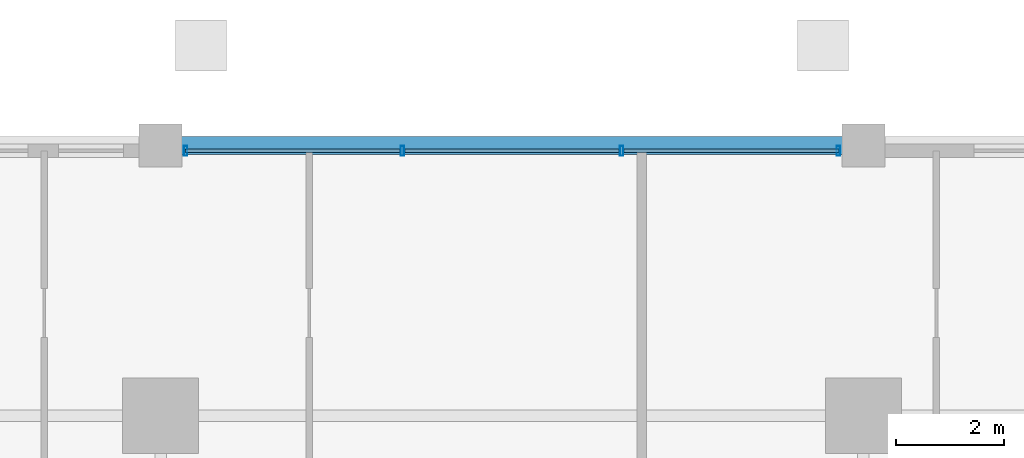
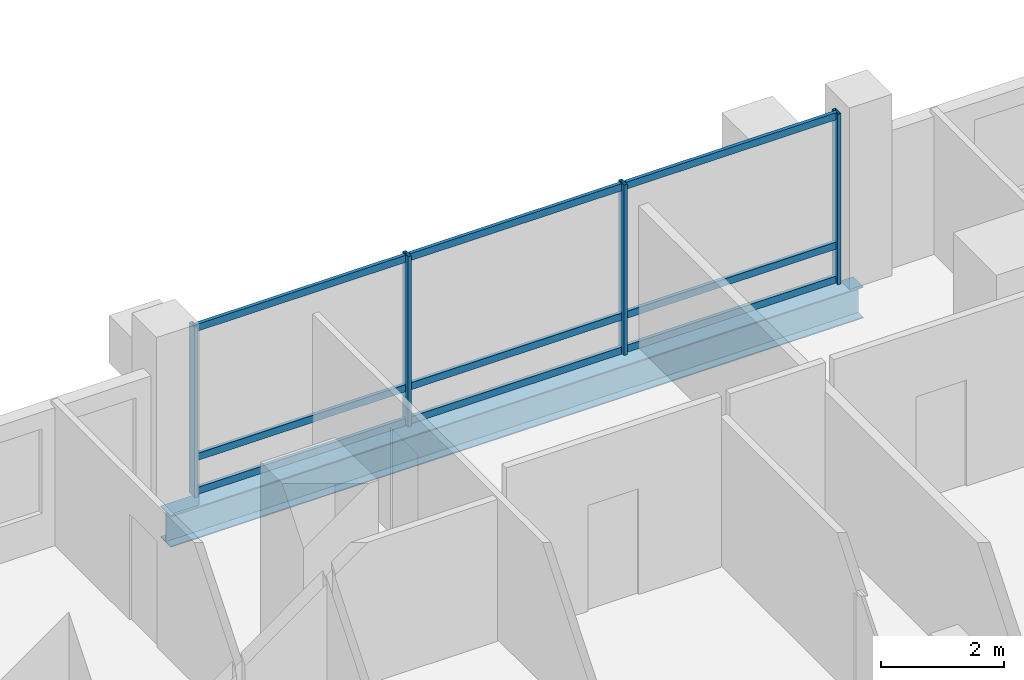
# One storey, part 13 of 23: 13 members, 1 beam, 1 element without a shape of its own.
"""IFC4 building model written with IfcOpenShell, lengths in metres."""

from ifc_helpers import new_model, si_unit, direction, frame, origin, origin_2d, place, context, subcontext, project, spatial, hollow_rectangle, i_section, extrude, material, layer, layer_set, material_profile, profile_set, type_object, element, aggregate, save


model = new_model("IFC4")

# Units and contexts
model_context = context("Model", 3, precision=1e-05, world=origin(), true_north=direction((0.0, 1.0)))
body_context = subcontext(model_context, "Body", "Model", "MODEL_VIEW")
ifc_project = project(units=[si_unit("LENGTHUNIT", "METRE"), si_unit("AREAUNIT", "SQUARE_METRE"), si_unit("VOLUMEUNIT", "CUBIC_METRE"), si_unit("PLANEANGLEUNIT", "RADIAN"), si_unit("MASSUNIT", "GRAM", prefix="KILO")], contexts=[model_context])

# Site, building, storey
site_placement = place(None, origin())
site = spatial("IfcSite", under=ifc_project, at=site_placement, CompositionType="ELEMENT")
building_placement = place(site_placement, origin())
building = spatial("IfcBuilding", under=site, at=building_placement, Name="Barlavira Tower and Art Museum", CompositionType="ELEMENT")
storey_placement = place(building_placement, frame((0.0, 0.0, 64.800048828125)))
storey = spatial("IfcBuildingStorey", under=building, at=storey_placement, Name="L15", CompositionType="ELEMENT", Elevation=64.800048828125)

# Curtain wall, members
ifc_material_1 = material(Name="Low-iron coastal laminated glass", Category="glass")
ifc_layer = layer(ifc_material_1, 0.179931640625, Name="Low-iron coastal laminated glass")
ifc_layer_set = layer_set([ifc_layer], Name="Low-iron coastal laminated glass")
curtain_wall_type = type_object("IfcCurtainWallType", Name="Pale-Metal Unitised Curtain Wall Zone 1", PredefinedType="NOTDEFINED", material=ifc_layer_set)
curtain_wall_placement = place(storey_placement, origin())
curtain_wall = element("IfcCurtainWall", 1, at=curtain_wall_placement, inside=storey, type_object=curtain_wall_type, Name="L15 Curtain Wall CW1-L15-N-B3", PredefinedType="NOTDEFINED")
ifc_material_2 = material(Name="Pale anodised aluminium", Category="aluminium")
ifc_material_profile_1 = material_profile(ifc_material_2, hollow_rectangle(XDim=0.06494140625, YDim=0.179931640625, WallThickness=0.00390625, at=origin_2d()), Name="ALU-MULL 65x180x4")
ifc_profile_set_1 = profile_set([ifc_material_profile_1], Name="Pale anodised aluminium")
member_type_1 = type_object("IfcMemberType", Name="Curtain Wall Pale-Metal Mullion 65x180", PredefinedType="MULLION", material=ifc_profile_set_1)
member_1_placement = place(storey_placement, frame((6.034912109375, 24.89990234375, 0.0), z_axis=(0.0, 0.0, 1.0), x_axis=(-1.0, 0.0, 0.0)))
member_1 = element("IfcMember", 2, at=member_1_placement, type_object=member_type_1, Name="CW1-L15-N-B3 Mullion 0", PredefinedType="MULLION", context=body_context, shape_type="SweptSolid", body=[
    extrude(hollow_rectangle(XDim=0.06494140625, YDim=0.179931640625, WallThickness=0.00390625, at=origin_2d()), origin(), (0.0, 0.0, 1.0), 3.3798828125),
])
member_2_placement = place(storey_placement, frame((2.026611328125, 24.89990234375, 0.0), z_axis=(0.0, 0.0, 1.0), x_axis=(-1.0, 0.0, 0.0)))
member_2 = element("IfcMember", 3, at=member_2_placement, type_object=member_type_1, Name="CW1-L15-N-B3 Mullion 1", PredefinedType="MULLION", context=body_context, shape_type="SweptSolid", body=[
    extrude(hollow_rectangle(XDim=0.06494140625, YDim=0.179931640625, WallThickness=0.00390625, at=origin_2d()), origin(), (0.0, 0.0, 1.0), 3.3798828125),
])
member_3_placement = place(storey_placement, frame((-2.026611328125, 24.89990234375, 0.0), z_axis=(0.0, 0.0, 1.0), x_axis=(-1.0, 0.0, 0.0)))
member_3 = element("IfcMember", 4, at=member_3_placement, type_object=member_type_1, Name="CW1-L15-N-B3 Mullion 2", PredefinedType="MULLION", context=body_context, shape_type="SweptSolid", body=[
    extrude(hollow_rectangle(XDim=0.06494140625, YDim=0.179931640625, WallThickness=0.00390625, at=origin_2d()), origin(), (0.0, 0.0, 1.0), 3.3798828125),
])
member_4_placement = place(storey_placement, frame((-6.034912109375, 24.89990234375, 0.0), z_axis=(0.0, 0.0, 1.0), x_axis=(-1.0, 0.0, 0.0)))
member_4 = element("IfcMember", 5, at=member_4_placement, type_object=member_type_1, Name="CW1-L15-N-B3 Mullion 3", PredefinedType="MULLION", context=body_context, shape_type="SweptSolid", body=[
    extrude(hollow_rectangle(XDim=0.06494140625, YDim=0.179931640625, WallThickness=0.00390625, at=origin_2d()), origin(), (0.0, 0.0, 1.0), 3.3798828125),
])
ifc_material_profile_2 = material_profile(ifc_material_2, hollow_rectangle(XDim=0.06494140625, YDim=0.139892578125, WallThickness=0.00390625, at=origin_2d()), Name="ALU-TRAN 65x140x4")
ifc_profile_set_2 = profile_set([ifc_material_profile_2], Name="Pale anodised aluminium")
member_type_2 = type_object("IfcMemberType", Name="Curtain Wall Pale-Metal Transom 65x140", PredefinedType="USERDEFINED", material=ifc_profile_set_2)
member_5_placement = place(storey_placement, frame((6.034912109375, 24.89990234375, 0.070068359375), z_axis=(-1.0, 0.0, 0.0), x_axis=(0.0, -1.0, 0.0)))
member_5 = element("IfcMember", 6, at=member_5_placement, type_object=member_type_2, Name="CW1-L15-N-B3 Transom 0.1", ObjectType="TRANSOM", PredefinedType="USERDEFINED", context=body_context, shape_type="SweptSolid", body=[
    extrude(hollow_rectangle(XDim=0.06494140625, YDim=0.139892578125, WallThickness=0.00390625, at=origin_2d()), origin(), (0.0, 0.0, 1.0), 3.963134765625),
])
member_6_placement = place(storey_placement, frame((6.034912109375, 24.89990234375, 0.743896484375), z_axis=(-1.0, 0.0, 0.0), x_axis=(0.0, -1.0, 0.0)))
member_6 = element("IfcMember", 7, at=member_6_placement, type_object=member_type_2, Name="CW1-L15-N-B3 Transom 0.2", ObjectType="TRANSOM", PredefinedType="USERDEFINED", context=body_context, shape_type="SweptSolid", body=[
    extrude(hollow_rectangle(XDim=0.06494140625, YDim=0.139892578125, WallThickness=0.00390625, at=origin_2d()), origin(), (0.0, 0.0, 1.0), 3.963134765625),
])
member_7_placement = place(storey_placement, frame((6.034912109375, 24.89990234375, 3.31005859375), z_axis=(-1.0, 0.0, 0.0), x_axis=(0.0, -1.0, 0.0)))
member_7 = element("IfcMember", 8, at=member_7_placement, type_object=member_type_2, Name="CW1-L15-N-B3 Transom 0.3", ObjectType="TRANSOM", PredefinedType="USERDEFINED", context=body_context, shape_type="SweptSolid", body=[
    extrude(hollow_rectangle(XDim=0.06494140625, YDim=0.139892578125, WallThickness=0.00390625, at=origin_2d()), origin(), (0.0, 0.0, 1.0), 3.963134765625),
])
member_8_placement = place(storey_placement, frame((1.981689453125, 24.89990234375, 0.070068359375), z_axis=(-1.0, 0.0, 0.0), x_axis=(0.0, -1.0, 0.0)))
member_8 = element("IfcMember", 9, at=member_8_placement, type_object=member_type_2, Name="CW1-L15-N-B3 Transom 1.1", ObjectType="TRANSOM", PredefinedType="USERDEFINED", context=body_context, shape_type="SweptSolid", body=[
    extrude(hollow_rectangle(XDim=0.06494140625, YDim=0.139892578125, WallThickness=0.00390625, at=origin_2d()), origin(), (0.0, 0.0, 1.0), 3.96337890625),
])
member_9_placement = place(storey_placement, frame((1.981689453125, 24.89990234375, 0.743896484375), z_axis=(-1.0, 0.0, 0.0), x_axis=(0.0, -1.0, 0.0)))
member_9 = element("IfcMember", 10, at=member_9_placement, type_object=member_type_2, Name="CW1-L15-N-B3 Transom 1.2", ObjectType="TRANSOM", PredefinedType="USERDEFINED", context=body_context, shape_type="SweptSolid", body=[
    extrude(hollow_rectangle(XDim=0.06494140625, YDim=0.139892578125, WallThickness=0.00390625, at=origin_2d()), origin(), (0.0, 0.0, 1.0), 3.96337890625),
])
member_10_placement = place(storey_placement, frame((1.981689453125, 24.89990234375, 3.31005859375), z_axis=(-1.0, 0.0, 0.0), x_axis=(0.0, -1.0, 0.0)))
member_10 = element("IfcMember", 11, at=member_10_placement, type_object=member_type_2, Name="CW1-L15-N-B3 Transom 1.3", ObjectType="TRANSOM", PredefinedType="USERDEFINED", context=body_context, shape_type="SweptSolid", body=[
    extrude(hollow_rectangle(XDim=0.06494140625, YDim=0.139892578125, WallThickness=0.00390625, at=origin_2d()), origin(), (0.0, 0.0, 1.0), 3.96337890625),
])
member_11_placement = place(storey_placement, frame((-2.07177734375, 24.89990234375, 0.070068359375), z_axis=(-1.0, 0.0, 0.0), x_axis=(0.0, -1.0, 0.0)))
member_11 = element("IfcMember", 12, at=member_11_placement, type_object=member_type_2, Name="CW1-L15-N-B3 Transom 2.1", ObjectType="TRANSOM", PredefinedType="USERDEFINED", context=body_context, shape_type="SweptSolid", body=[
    extrude(hollow_rectangle(XDim=0.06494140625, YDim=0.139892578125, WallThickness=0.00390625, at=origin_2d()), origin(), (0.0, 0.0, 1.0), 3.963134765625),
])
member_12_placement = place(storey_placement, frame((-2.07177734375, 24.89990234375, 0.743896484375), z_axis=(-1.0, 0.0, 0.0), x_axis=(0.0, -1.0, 0.0)))
member_12 = element("IfcMember", 13, at=member_12_placement, type_object=member_type_2, Name="CW1-L15-N-B3 Transom 2.2", ObjectType="TRANSOM", PredefinedType="USERDEFINED", context=body_context, shape_type="SweptSolid", body=[
    extrude(hollow_rectangle(XDim=0.06494140625, YDim=0.139892578125, WallThickness=0.00390625, at=origin_2d()), origin(), (0.0, 0.0, 1.0), 3.963134765625),
])
member_13_placement = place(storey_placement, frame((-2.07177734375, 24.89990234375, 3.31005859375), z_axis=(-1.0, 0.0, 0.0), x_axis=(0.0, -1.0, 0.0)))
member_13 = element("IfcMember", 14, at=member_13_placement, type_object=member_type_2, Name="CW1-L15-N-B3 Transom 2.3", ObjectType="TRANSOM", PredefinedType="USERDEFINED", context=body_context, shape_type="SweptSolid", body=[
    extrude(hollow_rectangle(XDim=0.06494140625, YDim=0.139892578125, WallThickness=0.00390625, at=origin_2d()), origin(), (0.0, 0.0, 1.0), 3.963134765625),
])
aggregate(curtain_wall, [member_1, member_2, member_3, member_4, member_5, member_6, member_7, member_8, member_9, member_10, member_11, member_12, member_13])

# Beam
ifc_material_3 = material(Name="Steel S355", Category="steel")
ifc_material_profile_3 = material_profile(ifc_material_3, i_section(OverallWidth=0.327880859375, OverallDepth=0.62890625, WebThickness=0.013916015625, FlangeThickness=0.021484375, at=origin_2d()), Name="W610x174.0")
ifc_profile_set_3 = profile_set([ifc_material_profile_3], Name="Steel S355")
beam_type = type_object("IfcBeamType", Name="Perimeter Spandrel Edge Beam W610x174 Steel S355", PredefinedType="SPANDREL", material=ifc_profile_set_3)
beam_placement = place(storey_placement, frame((-6.5, 25.0, -0.53466796875), z_axis=(1.0, 0.0, 0.0), x_axis=(0.0, 1.0, 0.0)))
element("IfcBeam", 15, at=beam_placement, inside=storey, type_object=beam_type, Name="L15 Spandrel 10", PredefinedType="SPANDREL", context=body_context, shape_type="SweptSolid", body=[
    extrude(i_section(OverallWidth=0.327880859375, OverallDepth=0.62890625, WebThickness=0.013916015625, FlangeThickness=0.021484375, at=origin_2d()), origin(), (0.0, 0.0, 1.0), 13.0),
])

save(model, "model.ifc")
